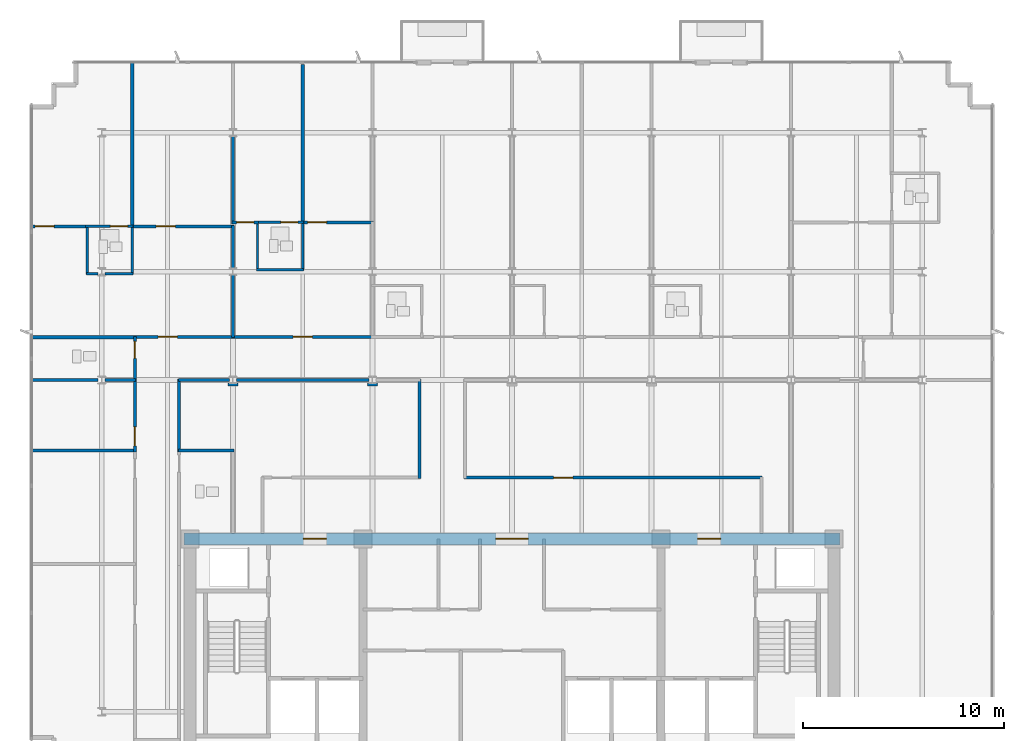
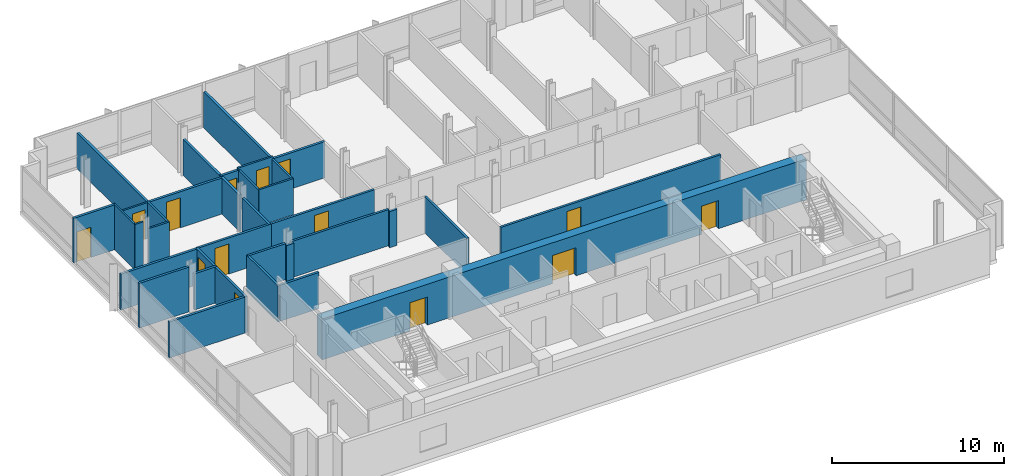
# One storey, part 9 of 14: 35 walls, 14 doors, 14 openings.
"""IFC4 building model written with IfcOpenShell, lengths in metres."""

from ifc_helpers import new_model, si_unit, direction, frame, frame_2d, origin, place, context, subcontext, project, spatial, rectangle, extrude, material, layer, layer_set, type_object, element, fill, save


model = new_model("IFC4")

# Units and contexts
model_context = context("Model", 3, precision=1e-05, world=origin(), true_north=direction((0.0, 1.0)))
body_context = subcontext(model_context, "Body", "Model", "MODEL_VIEW")
ifc_project = project(units=[si_unit("LENGTHUNIT", "METRE"), si_unit("AREAUNIT", "SQUARE_METRE"), si_unit("VOLUMEUNIT", "CUBIC_METRE"), si_unit("PLANEANGLEUNIT", "RADIAN"), si_unit("MASSUNIT", "GRAM", prefix="KILO")], contexts=[model_context])

# Site, building, storey
site_placement = place(None, origin())
site = spatial("IfcSite", under=ifc_project, at=site_placement, CompositionType="ELEMENT")
building_placement = place(site_placement, origin())
building = spatial("IfcBuilding", under=site, at=building_placement, Name="Solmavex Isthmus Hotel", CompositionType="ELEMENT")
storey_placement = place(building_placement, frame((0.0, 0.0, 252.300048828125)))
storey = spatial("IfcBuildingStorey", under=building, at=storey_placement, Name="L68", CompositionType="ELEMENT", Elevation=252.300048828125)

# Wall, opening, door
ifc_material_1 = material(Name="Gypsum plasterboard lining", Category="gypsum")
ifc_layer_1 = layer(ifc_material_1, 0.159912109375)
ifc_layer_set_1 = layer_set([ifc_layer_1], Name="Gypsum plasterboard lining")
wall_type_1 = type_object("IfcWallType", Name="IW-COMP-160", PredefinedType="PARTITIONING", material=ifc_layer_set_1)
wall_1_placement = place(storey_placement, frame((-23.919921875, 13.0380859375, 0.0), z_axis=(0.0, 0.0, 1.0), x_axis=(1.0, 0.0, 0.0)))
wall_1 = element("IfcWall", 1, at=wall_1_placement, inside=storey, type_object=wall_type_1, Name="Interior Partition Wall W-L68-P037", PredefinedType="PARTITIONING", context=body_context, shape_type="SweptSolid", body=[
    extrude(rectangle(XDim=2.833984375, YDim=0.159912109375, at=frame_2d((1.4169921875, 0.0))), origin(), (0.0, 0.0, 1.0), 3.18994140625),
])
opening_1_placement = place(wall_1_placement, frame((0.2099609375, 0.0, 0.0)))
opening_1 = element("IfcOpeningElement", 2, at=opening_1_placement, cuts=wall_1, Name="Opening ID-C095", PredefinedType="OPENING", context=body_context, shape_type="SweptSolid", body=[
    extrude(rectangle(XDim=0.949951171875, YDim=2.14990234375, at=frame_2d((0.47509765625, 1.074951171875))), frame((0.0, 0.08984375, 0.0), z_axis=(0.0, -1.0, 0.0), x_axis=(1.0, 0.0, 0.0)), (0.0, 0.0, 1.0), 0.179931640625),
])
ifc_material_2 = material(Name="Hardwood timber", Category="wood")
door_type_1 = type_object("IfcDoorType", Name="IDR-FD60-0950", OperationType="NOTDEFINED", PredefinedType="DOOR", material=ifc_material_2)
door_1_placement = place(opening_1_placement, origin())
door_1 = element("IfcDoor", 3, at=door_1_placement, inside=storey, type_object=door_type_1, Name="Ambassador Suite Master Bedroom Door L68-02", OperationType="SINGLE_SWING_RIGHT", OverallHeight=2.14990234375, OverallWidth=0.949951171875, PredefinedType="DOOR", context=body_context, shape_type="SweptSolid", body=[
    extrude(rectangle(XDim=0.949951171875, YDim=2.14990234375, at=frame_2d((0.47509765625, 1.074951171875))), frame((0.0, 0.02490234375, 0.0), z_axis=(0.0, -1.0, 0.0), x_axis=(1.0, 0.0, 0.0)), (0.0, 0.0, 1.0), 0.050048828125),
])
fill(opening_1, door_1)

wall_2_placement = place(storey_placement, frame((-18.916015625, 13.0380859375, 0.0), z_axis=(0.0, 0.0, 1.0), x_axis=(1.0, 0.0, 0.0)))
wall_2 = element("IfcWall", 4, at=wall_2_placement, inside=storey, type_object=wall_type_1, Name="Interior Partition Wall W-L68-P038", PredefinedType="PARTITIONING", context=body_context, shape_type="SweptSolid", body=[
    extrude(rectangle(XDim=5.083984375, YDim=0.159912109375, at=frame_2d((2.5419921875, 0.0))), origin(), (0.0, 0.0, 1.0), 2.572265625),
])
opening_2_placement = place(wall_2_placement, frame((1.226318359375, 0.0, 0.0)))
opening_2 = element("IfcOpeningElement", 5, at=opening_2_placement, cuts=wall_2, Name="Opening ID-C095", PredefinedType="OPENING", context=body_context, shape_type="SweptSolid", body=[
    extrude(rectangle(XDim=0.949951171875, YDim=2.14990234375, at=frame_2d((0.47509765625, 1.074951171875))), frame((0.0, 0.08984375, 0.0), z_axis=(0.0, -1.0, 0.0), x_axis=(1.0, 0.0, 0.0)), (0.0, 0.0, 1.0), 0.179931640625),
])
door_2_placement = place(opening_2_placement, origin())
door_2 = element("IfcDoor", 6, at=door_2_placement, inside=storey, type_object=door_type_1, Name="Ambassador Suite Panorama Sitting Study Door L68-03", OperationType="SINGLE_SWING_LEFT", OverallHeight=2.14990234375, OverallWidth=0.949951171875, PredefinedType="DOOR", context=body_context, shape_type="SweptSolid", body=[
    extrude(rectangle(XDim=0.949951171875, YDim=2.14990234375, at=frame_2d((0.47509765625, 1.074951171875))), frame((0.0, 0.02490234375, 0.0), z_axis=(0.0, -1.0, 0.0), x_axis=(1.0, 0.0, 0.0)), (0.0, 0.0, 1.0), 0.050048828125),
])
fill(opening_2, door_2)

# Walls
wall_3_placement = place(storey_placement, frame((-13.8720703125, 10.613037109375, 0.0), z_axis=(0.0, 0.0, 1.0), x_axis=(0.0, -1.0, 0.0)))
element("IfcWall", 7, at=wall_3_placement, inside=storey, type_object=wall_type_1, Name="Interior Partition Wall W-L68-P043", PredefinedType="PARTITIONING", context=body_context, shape_type="SweptSolid", body=[
    extrude(rectangle(XDim=3.10302734375, YDim=0.159912109375, at=frame_2d((1.551513671875, 0.0))), origin(), (0.0, 0.0, 1.0), 2.572265625),
])
wall_4_placement = place(storey_placement, frame((-13.8720703125, 13.077880859375, 0.0), z_axis=(0.0, 0.0, 1.0), x_axis=(0.0, -1.0, 0.0)))
element("IfcWall", 8, at=wall_4_placement, inside=storey, type_object=wall_type_1, Name="Interior Partition Wall W-L68-P044", PredefinedType="PARTITIONING", context=body_context, shape_type="SweptSolid", body=[
    extrude(rectangle(XDim=2.114990234375, YDim=0.159912109375, at=frame_2d((1.0576171875, 0.0))), origin(), (0.0, 0.0, 1.0), 2.572265625),
])
wall_5_placement = place(storey_placement, frame((-18.7099609375, 7.530029296875, 0.0), z_axis=(0.0, 0.0, 1.0), x_axis=(-1.0, 0.0, 0.0)))
element("IfcWall", 9, at=wall_5_placement, inside=storey, type_object=wall_type_1, Name="Interior Partition Wall W-L68-P045", PredefinedType="PARTITIONING", context=body_context, shape_type="SweptSolid", body=[
    extrude(rectangle(XDim=5.2099609375, YDim=0.159912109375, at=frame_2d((2.60498046875, 0.0))), origin(), (0.0, 0.0, 1.0), 2.557373046875),
])
wall_6_placement = place(storey_placement, frame((-18.8759765625, 21.219970703125, 0.0), z_axis=(0.0, 0.0, 1.0), x_axis=(0.0, -1.0, 0.0)))
element("IfcWall", 10, at=wall_6_placement, inside=storey, type_object=wall_type_1, Name="Interior Partition Wall W-L68-P046", PredefinedType="PARTITIONING", context=body_context, shape_type="SweptSolid", body=[
    extrude(rectangle(XDim=8.221923828125, YDim=0.159912109375, at=frame_2d((4.11083984375, 0.0))), origin(), (0.0, 0.0, 1.0), 2.557373046875),
])
wall_7_placement = place(storey_placement, frame((-13.8720703125, 17.52490234375, 0.0), z_axis=(0.0, 0.0, 1.0), x_axis=(0.0, -1.0, 0.0)))
element("IfcWall", 11, at=wall_7_placement, inside=storey, type_object=wall_type_1, Name="Interior Partition Wall W-L68-P048", PredefinedType="PARTITIONING", context=body_context, shape_type="SweptSolid", body=[
    extrude(rectangle(XDim=4.368896484375, YDim=0.159912109375, at=frame_2d((2.1845703125, 0.0))), origin(), (0.0, 0.0, 1.0), 2.572265625),
])

# Wall, opening, door
wall_8_placement = place(storey_placement, frame((-13.912109375, 13.238037109375, 0.0), z_axis=(0.0, 0.0, 1.0), x_axis=(1.0, 0.0, 0.0)))
wall_8 = element("IfcWall", 12, at=wall_8_placement, inside=storey, type_object=wall_type_1, Name="Interior Partition Wall W-L68-P050", PredefinedType="PARTITIONING", context=body_context, shape_type="SweptSolid", body=[
    extrude(rectangle(XDim=1.298095703125, YDim=0.159912109375, at=frame_2d((0.64892578125, 0.0))), origin(), (0.0, 0.0, 1.0), 2.572265625),
])
opening_3_placement = place(wall_8_placement, frame((0.22412109375, 0.0, 0.0)))
opening_3 = element("IfcOpeningElement", 13, at=opening_3_placement, cuts=wall_8, Name="Opening ID-R085", PredefinedType="OPENING", context=body_context, shape_type="SweptSolid", body=[
    extrude(rectangle(XDim=0.85009765625, YDim=2.050048828125, at=frame_2d((0.425048828125, 1.02490234375))), frame((0.0, 0.08984375, 0.0), z_axis=(0.0, -1.0, 0.0), x_axis=(1.0, 0.0, 0.0)), (0.0, 0.0, 1.0), 0.179931640625),
])
ifc_material_3 = material(Name="Steel ASTM A500 Grade C", Category="steel")
door_type_2 = type_object("IfcDoorType", Name="IDR-FD60-0850", OperationType="NOTDEFINED", PredefinedType="DOOR", material=ifc_material_3)
door_3_placement = place(opening_3_placement, origin())
door_3 = element("IfcDoor", 14, at=door_3_placement, inside=storey, type_object=door_type_2, Name="Diplomatic Hospitality Suite Bedroom Door L68-06", OperationType="SINGLE_SWING_RIGHT", OverallHeight=2.050048828125, OverallWidth=0.85009765625, PredefinedType="DOOR", context=body_context, shape_type="SweptSolid", body=[
    extrude(rectangle(XDim=0.85009765625, YDim=2.050048828125, at=frame_2d((0.425048828125, 1.02490234375))), frame((0.0, 0.02490234375, 0.0), z_axis=(0.0, -1.0, 0.0), x_axis=(1.0, 0.0, 0.0)), (0.0, 0.0, 1.0), 0.050048828125),
])
fill(opening_3, door_3)

wall_9_placement = place(storey_placement, frame((-10.444091796875, 13.238037109375, 0.0), z_axis=(0.0, 0.0, 1.0), x_axis=(1.0, 0.0, 0.0)))
wall_9 = element("IfcWall", 15, at=wall_9_placement, inside=storey, type_object=wall_type_1, Name="Interior Partition Wall W-L68-P051", PredefinedType="PARTITIONING", context=body_context, shape_type="SweptSolid", body=[
    extrude(rectangle(XDim=3.548095703125, YDim=0.159912109375, at=frame_2d((1.77392578125, 0.0))), origin(), (0.0, 0.0, 1.0), 2.572265625),
])
opening_4_placement = place(wall_9_placement, frame((0.279296875, 0.0, 0.0)))
opening_4 = element("IfcOpeningElement", 16, at=opening_4_placement, cuts=wall_9, Name="Opening ID-C095", PredefinedType="OPENING", context=body_context, shape_type="SweptSolid", body=[
    extrude(rectangle(XDim=0.949951171875, YDim=2.14990234375, at=frame_2d((0.47509765625, 1.074951171875))), frame((0.0, 0.08984375, 0.0), z_axis=(0.0, -1.0, 0.0), x_axis=(1.0, 0.0, 0.0)), (0.0, 0.0, 1.0), 0.179931640625),
])
door_4_placement = place(opening_4_placement, origin())
door_4 = element("IfcDoor", 17, at=door_4_placement, inside=storey, type_object=door_type_1, Name="Diplomatic Hospitality Suite Sitting Lounge Door L68-07", OperationType="SINGLE_SWING_LEFT", OverallHeight=2.14990234375, OverallWidth=0.949951171875, PredefinedType="DOOR", context=body_context, shape_type="SweptSolid", body=[
    extrude(rectangle(XDim=0.949951171875, YDim=2.14990234375, at=frame_2d((0.47509765625, 1.074951171875))), frame((0.0, 0.02490234375, 0.0), z_axis=(0.0, -1.0, 0.0), x_axis=(1.0, 0.0, 0.0)), (0.0, 0.0, 1.0), 0.050048828125),
])
fill(opening_4, door_4)

# Walls
wall_10_placement = place(storey_placement, frame((-10.404052734375, 21.10009765625, 0.0), z_axis=(0.0, 0.0, 1.0), x_axis=(0.0, -1.0, 0.0)))
element("IfcWall", 18, at=wall_10_placement, inside=storey, type_object=wall_type_1, Name="Interior Partition Wall W-L68-P057", PredefinedType="PARTITIONING", context=body_context, shape_type="SweptSolid", body=[
    extrude(rectangle(XDim=7.902099609375, YDim=0.159912109375, at=frame_2d((3.951171875, 0.0))), origin(), (0.0, 0.0, 1.0), 2.557373046875),
])
wall_11_placement = place(storey_placement, frame((-20.574951171875, 5.39990234375, 0.0), z_axis=(0.0, 0.0, 1.0), x_axis=(-1.0, 0.0, 0.0)))
element("IfcWall", 19, at=wall_11_placement, inside=storey, type_object=wall_type_1, Name="Interior Partition Wall W-L68-P087", PredefinedType="PARTITIONING", context=body_context, shape_type="SweptSolid", body=[
    extrude(rectangle(XDim=3.344970703125, YDim=0.159912109375, at=frame_2d((1.67236328125, 0.0))), origin(), (0.0, 0.0, 1.0), 3.18994140625),
])
wall_12_placement = place(storey_placement, frame((-18.7099609375, 5.39990234375, 0.0), z_axis=(0.0, 0.0, 1.0), x_axis=(-1.0, 0.0, 0.0)))
element("IfcWall", 20, at=wall_12_placement, inside=storey, type_object=wall_type_1, Name="Interior Partition Wall W-L68-P088", PredefinedType="PARTITIONING", context=body_context, shape_type="SweptSolid", body=[
    extrude(rectangle(XDim=1.51513671875, YDim=0.159912109375, at=frame_2d((0.757568359375, 0.0))), origin(), (0.0, 0.0, 1.0), 2.572265625),
])
wall_13_placement = place(storey_placement, frame((-16.590087890625, 1.89990234375, 0.0), z_axis=(0.0, 0.0, 1.0), x_axis=(1.0, 0.0, 0.0)))
element("IfcWall", 21, at=wall_13_placement, inside=storey, type_object=wall_type_1, Name="Interior Partition Wall W-L68-P089", PredefinedType="PARTITIONING", context=body_context, shape_type="SweptSolid", body=[
    extrude(rectangle(XDim=2.758056640625, YDim=0.159912109375, at=frame_2d((1.37890625, 0.0))), origin(), (0.0, 0.0, 1.0), 2.572265625),
])
wall_14_placement = place(storey_placement, frame((-18.7099609375, 1.89990234375, 0.0), z_axis=(0.0, 0.0, 1.0), x_axis=(-1.0, 0.0, 0.0)))
element("IfcWall", 22, at=wall_14_placement, inside=storey, type_object=wall_type_1, Name="Interior Partition Wall W-L68-P093", PredefinedType="PARTITIONING", context=body_context, shape_type="SweptSolid", body=[
    extrude(rectangle(XDim=5.2099609375, YDim=0.159912109375, at=frame_2d((2.60498046875, 0.0))), origin(), (0.0, 0.0, 1.0), 2.557373046875),
])

# Wall, opening, door
ifc_layer_2 = layer(ifc_material_1, 0.14990234375)
ifc_layer_set_2 = layer_set([ifc_layer_2], Name="Gypsum plasterboard lining")
wall_type_2 = type_object("IfcWallType", Name="IW-CORR-150", PredefinedType="PARTITIONING", material=ifc_layer_set_2)
wall_15_placement = place(storey_placement, frame((-18.7900390625, 7.550048828125, 0.0), z_axis=(0.0, 0.0, 1.0), x_axis=(1.0, 0.0, 0.0)))
wall_15 = element("IfcWall", 23, at=wall_15_placement, inside=storey, type_object=wall_type_2, Name="Interior Partition Wall W-L68-P001", PredefinedType="PARTITIONING", context=body_context, shape_type="SweptSolid", body=[
    extrude(rectangle(XDim=5.0, YDim=0.14990234375, at=frame_2d((2.5, 0.0))), origin(), (0.0, 0.0, 1.0), 2.572265625),
])
opening_5_placement = place(wall_15_placement, frame((1.198486328125, 0.0, 0.0)))
opening_5 = element("IfcOpeningElement", 24, at=opening_5_placement, cuts=wall_15, Name="Opening ID-C095", PredefinedType="OPENING", context=body_context, shape_type="SweptSolid", body=[
    extrude(rectangle(XDim=0.949951171875, YDim=2.14990234375, at=frame_2d((0.47509765625, 1.074951171875))), frame((0.0, 0.0849609375, 0.0), z_axis=(0.0, -1.0, 0.0), x_axis=(1.0, 0.0, 0.0)), (0.0, 0.0, 1.0), 0.169921875),
])
door_5_placement = place(opening_5_placement, origin())
door_5 = element("IfcDoor", 25, at=door_5_placement, inside=storey, type_object=door_type_1, Name="Ambassador Suite Living Salon Door L68-01", OperationType="SINGLE_SWING_LEFT", OverallHeight=2.14990234375, OverallWidth=0.949951171875, PredefinedType="DOOR", context=body_context, shape_type="SweptSolid", body=[
    extrude(rectangle(XDim=0.949951171875, YDim=2.14990234375, at=frame_2d((0.47509765625, 1.074951171875))), frame((0.0, 0.02490234375, 0.0), z_axis=(0.0, -1.0, 0.0), x_axis=(1.0, 0.0, 0.0)), (0.0, 0.0, 1.0), 0.050048828125),
])
fill(opening_5, door_5)

wall_16_placement = place(storey_placement, frame((-13.9541015625, 7.550048828125, 0.0), z_axis=(0.0, 0.0, 1.0), x_axis=(1.0, 0.0, 0.0)))
wall_16 = element("IfcWall", 26, at=wall_16_placement, inside=storey, type_object=wall_type_2, Name="Interior Partition Wall W-L68-P002", PredefinedType="PARTITIONING", context=body_context, shape_type="SweptSolid", body=[
    extrude(rectangle(XDim=7.10009765625, YDim=0.14990234375, at=frame_2d((3.550048828125, 0.0))), origin(), (0.0, 0.0, 1.0), 2.572265625),
])
opening_6_placement = place(wall_16_placement, frame((3.074951171875, 0.0, 0.0)))
opening_6 = element("IfcOpeningElement", 27, at=opening_6_placement, cuts=wall_16, Name="Opening ID-C095", PredefinedType="OPENING", context=body_context, shape_type="SweptSolid", body=[
    extrude(rectangle(XDim=0.949951171875, YDim=2.14990234375, at=frame_2d((0.47509765625, 1.074951171875))), frame((0.0, 0.0849609375, 0.0), z_axis=(0.0, -1.0, 0.0), x_axis=(1.0, 0.0, 0.0)), (0.0, 0.0, 1.0), 0.169921875),
])
door_6_placement = place(opening_6_placement, origin())
door_6 = element("IfcDoor", 28, at=door_6_placement, inside=storey, type_object=door_type_1, Name="Diplomatic Hospitality Suite Reception Foyer Door L68-05", OperationType="SINGLE_SWING_LEFT", OverallHeight=2.14990234375, OverallWidth=0.949951171875, PredefinedType="DOOR", context=body_context, shape_type="SweptSolid", body=[
    extrude(rectangle(XDim=0.949951171875, YDim=2.14990234375, at=frame_2d((0.47509765625, 1.074951171875))), frame((0.0, 0.02490234375, 0.0), z_axis=(0.0, -1.0, 0.0), x_axis=(1.0, 0.0, 0.0)), (0.0, 0.0, 1.0), 0.050048828125),
])
fill(opening_6, door_6)

wall_17_placement = place(storey_placement, frame((-18.75, 5.318115234375, 0.0), z_axis=(0.0, 0.0, 1.0), x_axis=(0.0, 1.0, 0.0)))
wall_17 = element("IfcWall", 29, at=wall_17_placement, inside=storey, type_object=wall_type_2, Name="Interior Partition Wall W-L68-P011", PredefinedType="PARTITIONING", context=body_context, shape_type="SweptSolid", body=[
    extrude(rectangle(XDim=2.251953125, YDim=0.14990234375, at=frame_2d((1.1259765625, 0.0))), origin(), (0.0, 0.0, 1.0), 2.572265625),
])
opening_7_placement = place(wall_17_placement, frame((1.156982421875, 0.0, 0.0)))
opening_7 = element("IfcOpeningElement", 30, at=opening_7_placement, cuts=wall_17, Name="Opening ID-R085", PredefinedType="OPENING", context=body_context, shape_type="SweptSolid", body=[
    extrude(rectangle(XDim=0.85009765625, YDim=2.050048828125, at=frame_2d((0.425048828125, 1.02490234375))), frame((0.0, 0.0849609375, 0.0), z_axis=(0.0, -1.0, 0.0), x_axis=(1.0, 0.0, 0.0)), (0.0, 0.0, 1.0), 0.169921875),
])
door_7_placement = place(opening_7_placement, frame((0.85009765625, 0.0, 0.0), z_axis=(0.0, 0.0, 1.0), x_axis=(-1.0, 0.0, 0.0)))
door_7 = element("IfcDoor", 31, at=door_7_placement, inside=storey, type_object=door_type_2, Name="Accessible Public Restroom WC Door L68-20", OperationType="SINGLE_SWING_RIGHT", OverallHeight=2.050048828125, OverallWidth=0.85009765625, PredefinedType="DOOR", context=body_context, shape_type="SweptSolid", body=[
    extrude(rectangle(XDim=0.85009765625, YDim=2.050048828125, at=frame_2d((0.425048828125, 1.02490234375))), frame((0.0, 0.02490234375, 0.0), z_axis=(0.0, -1.0, 0.0), x_axis=(1.0, 0.0, 0.0)), (0.0, 0.0, 1.0), 0.050048828125),
])
fill(opening_7, door_7)

wall_18_placement = place(storey_placement, frame((-18.75, 1.818115234375, 0.0), z_axis=(0.0, 0.0, 1.0), x_axis=(0.0, 1.0, 0.0)))
wall_18 = element("IfcWall", 32, at=wall_18_placement, inside=storey, type_object=wall_type_2, Name="Interior Partition Wall W-L68-P014", PredefinedType="PARTITIONING", context=body_context, shape_type="SweptSolid", body=[
    extrude(rectangle(XDim=3.663818359375, YDim=0.14990234375, at=frame_2d((1.83203125, 0.0))), origin(), (0.0, 0.0, 1.0), 2.572265625),
])
opening_8_placement = place(wall_18_placement, frame((0.30322265625, 0.0, 0.0)))
opening_8 = element("IfcOpeningElement", 33, at=opening_8_placement, cuts=wall_18, Name="Opening ID-C095", PredefinedType="OPENING", context=body_context, shape_type="SweptSolid", body=[
    extrude(rectangle(XDim=0.949951171875, YDim=2.14990234375, at=frame_2d((0.47509765625, 1.074951171875))), frame((0.0, 0.0849609375, 0.0), z_axis=(0.0, -1.0, 0.0), x_axis=(1.0, 0.0, 0.0)), (0.0, 0.0, 1.0), 0.169921875),
])
door_8_placement = place(opening_8_placement, frame((0.949951171875, 0.0, 0.0), z_axis=(0.0, 0.0, 1.0), x_axis=(-1.0, 0.0, 0.0)))
door_8 = element("IfcDoor", 34, at=door_8_placement, inside=storey, type_object=door_type_1, Name="Reading Library Door L68-23", OperationType="SINGLE_SWING_LEFT", OverallHeight=2.14990234375, OverallWidth=0.949951171875, PredefinedType="DOOR", context=body_context, shape_type="SweptSolid", body=[
    extrude(rectangle(XDim=0.949951171875, YDim=2.14990234375, at=frame_2d((0.47509765625, 1.074951171875))), frame((0.0, 0.02490234375, 0.0), z_axis=(0.0, -1.0, 0.0), x_axis=(1.0, 0.0, 0.0)), (0.0, 0.0, 1.0), 0.050048828125),
])
fill(opening_8, door_8)

# Walls
wall_19_placement = place(storey_placement, frame((-4.587890625, 0.510009765625, 0.0), z_axis=(0.0, 0.0, 1.0), x_axis=(0.0, 1.0, 0.0)))
element("IfcWall", 35, at=wall_19_placement, inside=storey, type_object=wall_type_2, Name="Interior Partition Wall W-L68-P018", PredefinedType="PARTITIONING", context=body_context, shape_type="SweptSolid", body=[
    extrude(rectangle(XDim=4.929931640625, YDim=0.14990234375, at=frame_2d((2.46484375, 0.0))), origin(), (0.0, 0.0, 1.0), 2.572265625),
])
wall_20_placement = place(storey_placement, frame((-6.680908203125, 5.18505859375, 0.0), z_axis=(0.0, 0.0, 1.0), x_axis=(-1.0, 0.0, 0.0)))
element("IfcWall", 36, at=wall_20_placement, inside=storey, type_object=wall_type_2, Name="Interior Partition Wall W-L68-P020", PredefinedType="PARTITIONING", context=body_context, shape_type="SweptSolid", body=[
    extrude(rectangle(XDim=0.510009765625, YDim=0.14990234375, at=frame_2d((0.2548828125, 0.0))), origin(), (0.0, 0.0, 1.0), 2.572265625),
])
wall_21_placement = place(storey_placement, frame((-7.111083984375, 5.39990234375, 0.0), z_axis=(0.0, 0.0, 1.0), x_axis=(-1.0, 0.0, 0.0)))
element("IfcWall", 37, at=wall_21_placement, inside=storey, type_object=wall_type_2, Name="Interior Partition Wall W-L68-P021", PredefinedType="PARTITIONING", context=body_context, shape_type="SweptSolid", body=[
    extrude(rectangle(XDim=6.5859375, YDim=0.14990234375, at=frame_2d((3.29296875, 0.0))), origin(), (0.0, 0.0, 1.0), 2.572265625),
])
wall_22_placement = place(storey_placement, frame((-13.616943359375, 5.18505859375, 0.0), z_axis=(0.0, 0.0, 1.0), x_axis=(-1.0, 0.0, 0.0)))
element("IfcWall", 38, at=wall_22_placement, inside=storey, type_object=wall_type_2, Name="Interior Partition Wall W-L68-P022", PredefinedType="PARTITIONING", context=body_context, shape_type="SweptSolid", body=[
    extrude(rectangle(XDim=0.510009765625, YDim=0.14990234375, at=frame_2d((0.2548828125, 0.0))), origin(), (0.0, 0.0, 1.0), 2.572265625),
])
wall_23_placement = place(storey_placement, frame((-14.047119140625, 5.39990234375, 0.0), z_axis=(0.0, 0.0, 1.0), x_axis=(-1.0, 0.0, 0.0)))
element("IfcWall", 39, at=wall_23_placement, inside=storey, type_object=wall_type_2, Name="Interior Partition Wall W-L68-P023", PredefinedType="PARTITIONING", context=body_context, shape_type="SweptSolid", body=[
    extrude(rectangle(XDim=2.54296875, YDim=0.14990234375, at=frame_2d((1.271484375, 0.0))), origin(), (0.0, 0.0, 1.0), 2.572265625),
])
wall_24_placement = place(storey_placement, frame((-16.550048828125, 5.43994140625, 0.0), z_axis=(0.0, 0.0, 1.0), x_axis=(0.0, -1.0, 0.0)))
element("IfcWall", 40, at=wall_24_placement, inside=storey, type_object=wall_type_2, Name="Interior Partition Wall W-L68-P024", PredefinedType="PARTITIONING", context=body_context, shape_type="SweptSolid", body=[
    extrude(rectangle(XDim=3.621826171875, YDim=0.14990234375, at=frame_2d((1.81103515625, 0.0))), origin(), (0.0, 0.0, 1.0), 2.572265625),
])

# Wall, opening, door
wall_25_placement = place(storey_placement, frame((-2.387939453125, 0.550048828125, 0.0), z_axis=(0.0, 0.0, 1.0), x_axis=(1.0, 0.0, 0.0)))
wall_25 = element("IfcWall", 41, at=wall_25_placement, inside=storey, type_object=wall_type_2, Name="Interior Partition Wall W-L68-P031", PredefinedType="PARTITIONING", context=body_context, shape_type="SweptSolid", body=[
    extrude(rectangle(XDim=14.827880859375, YDim=0.14990234375, at=frame_2d((7.4140625, 0.0))), origin(), (0.0, 0.0, 1.0), 2.572265625),
])
opening_9_placement = place(wall_25_placement, frame((4.461181640625, 0.0, 0.0)))
opening_9 = element("IfcOpeningElement", 42, at=opening_9_placement, cuts=wall_25, Name="Opening ID-C095", PredefinedType="OPENING", context=body_context, shape_type="SweptSolid", body=[
    extrude(rectangle(XDim=0.949951171875, YDim=2.14990234375, at=frame_2d((0.47509765625, 1.074951171875))), frame((0.0, 0.0849609375, 0.0), z_axis=(0.0, -1.0, 0.0), x_axis=(1.0, 0.0, 0.0)), (0.0, 0.0, 1.0), 0.169921875),
])
door_9_placement = place(opening_9_placement, frame((0.949951171875, 0.0, 0.0), z_axis=(0.0, 0.0, 1.0), x_axis=(-1.0, 0.0, 0.0)))
door_9 = element("IfcDoor", 43, at=door_9_placement, inside=storey, type_object=door_type_1, Name="Catering Servery Kitchen Door L68-26", OperationType="SINGLE_SWING_RIGHT", OverallHeight=2.14990234375, OverallWidth=0.949951171875, PredefinedType="DOOR", context=body_context, shape_type="SweptSolid", body=[
    extrude(rectangle(XDim=0.949951171875, YDim=2.14990234375, at=frame_2d((0.47509765625, 1.074951171875))), frame((0.0, 0.02490234375, 0.0), z_axis=(0.0, -1.0, 0.0), x_axis=(1.0, 0.0, 0.0)), (0.0, 0.0, 1.0), 0.050048828125),
])
fill(opening_9, door_9)

# Walls
ifc_layer_3 = layer(ifc_material_1, 0.1201171875)
ifc_layer_set_3 = layer_set([ifc_layer_3], Name="Gypsum plasterboard lining")
wall_type_3 = type_object("IfcWallType", Name="IW-PART-120", PredefinedType="PARTITIONING", material=ifc_layer_set_3)
wall_26_placement = place(storey_placement, frame((-21.1259765625, 13.077880859375, 0.0), z_axis=(0.0, 0.0, 1.0), x_axis=(0.0, -1.0, 0.0)))
element("IfcWall", 44, at=wall_26_placement, inside=storey, type_object=wall_type_3, Name="Interior Partition Wall W-L68-P039", PredefinedType="PARTITIONING", context=body_context, shape_type="SweptSolid", body=[
    extrude(rectangle(XDim=2.429931640625, YDim=0.1201171875, at=frame_2d((1.21484375, 0.0))), origin(), (0.0, 0.0, 1.0), 3.18994140625),
])
wall_27_placement = place(storey_placement, frame((-21.166015625, 10.68798828125, 0.0), z_axis=(0.0, 0.0, 1.0), x_axis=(1.0, 0.0, 0.0)))
element("IfcWall", 45, at=wall_27_placement, inside=storey, type_object=wall_type_3, Name="Interior Partition Wall W-L68-P040", PredefinedType="PARTITIONING", context=body_context, shape_type="SweptSolid", body=[
    extrude(rectangle(XDim=0.591064453125, YDim=0.1201171875, at=frame_2d((0.29541015625, 0.0))), origin(), (0.0, 0.0, 1.0), 3.18994140625),
])
wall_28_placement = place(storey_placement, frame((-20.22509765625, 10.68798828125, 0.0), z_axis=(0.0, 0.0, 1.0), x_axis=(1.0, 0.0, 0.0)))
element("IfcWall", 46, at=wall_28_placement, inside=storey, type_object=wall_type_3, Name="Interior Partition Wall W-L68-P041", PredefinedType="PARTITIONING", context=body_context, shape_type="SweptSolid", body=[
    extrude(rectangle(XDim=1.38916015625, YDim=0.1201171875, at=frame_2d((0.694580078125, 0.0))), origin(), (0.0, 0.0, 1.0), 2.572265625),
])
wall_29_placement = place(storey_placement, frame((-18.8759765625, 10.64794921875, 0.0), z_axis=(0.0, 0.0, 1.0), x_axis=(0.0, 1.0, 0.0)))
element("IfcWall", 47, at=wall_29_placement, inside=storey, type_object=wall_type_3, Name="Interior Partition Wall W-L68-P042", PredefinedType="PARTITIONING", context=body_context, shape_type="SweptSolid", body=[
    extrude(rectangle(XDim=2.429931640625, YDim=0.1201171875, at=frame_2d((1.21484375, 0.0))), origin(), (0.0, 0.0, 1.0), 2.572265625),
])

# Wall, opening, door
wall_30_placement = place(storey_placement, frame((-18.8359375, 13.0380859375, 0.0), z_axis=(0.0, 0.0, 1.0), x_axis=(-1.0, 0.0, 0.0)))
wall_30 = element("IfcWall", 48, at=wall_30_placement, inside=storey, type_object=wall_type_3, Name="Interior Partition Wall W-L68-P047", PredefinedType="PARTITIONING", context=body_context, shape_type="SweptSolid", body=[
    extrude(rectangle(XDim=2.3720703125, YDim=0.1201171875, at=frame_2d((1.18603515625, 0.0))), origin(), (0.0, 0.0, 1.0), 2.557373046875),
])
opening_10_placement = place(wall_30_placement, frame((0.27978515625, 0.0, 0.0)))
opening_10 = element("IfcOpeningElement", 49, at=opening_10_placement, cuts=wall_30, Name="Opening ID-U085", PredefinedType="OPENING", context=body_context, shape_type="SweptSolid", body=[
    extrude(rectangle(XDim=0.85009765625, YDim=2.10009765625, at=frame_2d((0.425048828125, 1.050048828125))), frame((0.0, 0.070068359375, 0.0), z_axis=(0.0, -1.0, 0.0), x_axis=(1.0, 0.0, 0.0)), (0.0, 0.0, 1.0), 0.14013671875),
])
door_type_3 = type_object("IfcDoorType", Name="IDR-UNR-0850", OperationType="NOTDEFINED", PredefinedType="DOOR", material=ifc_material_2)
door_10_placement = place(opening_10_placement, frame((0.85009765625, 0.0, 0.0), z_axis=(0.0, 0.0, 1.0), x_axis=(-1.0, 0.0, 0.0)))
door_10 = element("IfcDoor", 50, at=door_10_placement, inside=storey, type_object=door_type_3, Name="En-suite Bathroom Door L68-04", OperationType="SINGLE_SWING_RIGHT", OverallHeight=2.10009765625, OverallWidth=0.85009765625, PredefinedType="DOOR", context=body_context, shape_type="SweptSolid", body=[
    extrude(rectangle(XDim=0.85009765625, YDim=2.10009765625, at=frame_2d((0.425048828125, 1.050048828125))), frame((0.0, 0.02490234375, 0.0), z_axis=(0.0, -1.0, 0.0), x_axis=(1.0, 0.0, 0.0)), (0.0, 0.0, 1.0), 0.050048828125),
])
fill(opening_10, door_10)

# Walls
wall_31_placement = place(storey_placement, frame((-12.654052734375, 13.278076171875, 0.0), z_axis=(0.0, 0.0, 1.0), x_axis=(0.0, -1.0, 0.0)))
element("IfcWall", 51, at=wall_31_placement, inside=storey, type_object=wall_type_3, Name="Interior Partition Wall W-L68-P052", PredefinedType="PARTITIONING", context=body_context, shape_type="SweptSolid", body=[
    extrude(rectangle(XDim=2.43017578125, YDim=0.1201171875, at=frame_2d((1.215087890625, 0.0))), origin(), (0.0, 0.0, 1.0), 2.572265625),
])
wall_32_placement = place(storey_placement, frame((-12.694091796875, 10.887939453125, 0.0), z_axis=(0.0, 0.0, 1.0), x_axis=(1.0, 0.0, 0.0)))
element("IfcWall", 52, at=wall_32_placement, inside=storey, type_object=wall_type_3, Name="Interior Partition Wall W-L68-P053", PredefinedType="PARTITIONING", context=body_context, shape_type="SweptSolid", body=[
    extrude(rectangle(XDim=2.330078125, YDim=0.1201171875, at=frame_2d((1.1650390625, 0.0))), origin(), (0.0, 0.0, 1.0), 2.572265625),
])
wall_33_placement = place(storey_placement, frame((-10.404052734375, 10.847900390625, 0.0), z_axis=(0.0, 0.0, 1.0), x_axis=(0.0, 1.0, 0.0)))
element("IfcWall", 53, at=wall_33_placement, inside=storey, type_object=wall_type_3, Name="Interior Partition Wall W-L68-P054", PredefinedType="PARTITIONING", context=body_context, shape_type="SweptSolid", body=[
    extrude(rectangle(XDim=2.43017578125, YDim=0.1201171875, at=frame_2d((1.215087890625, 0.0))), origin(), (0.0, 0.0, 1.0), 2.572265625),
])

# Wall, opening, door
wall_34_placement = place(storey_placement, frame((-10.364013671875, 13.238037109375, 0.0), z_axis=(0.0, 0.0, 1.0), x_axis=(-1.0, 0.0, 0.0)))
wall_34 = element("IfcWall", 54, at=wall_34_placement, inside=storey, type_object=wall_type_3, Name="Interior Partition Wall W-L68-P058", PredefinedType="PARTITIONING", context=body_context, shape_type="SweptSolid", body=[
    extrude(rectangle(XDim=2.3720703125, YDim=0.1201171875, at=frame_2d((1.18603515625, 0.0))), origin(), (0.0, 0.0, 1.0), 2.718017578125),
])
opening_11_placement = place(wall_34_placement, frame((0.27978515625, 0.0, 0.0)))
opening_11 = element("IfcOpeningElement", 55, at=opening_11_placement, cuts=wall_34, Name="Opening ID-U085", PredefinedType="OPENING", context=body_context, shape_type="SweptSolid", body=[
    extrude(rectangle(XDim=0.85009765625, YDim=2.10009765625, at=frame_2d((0.425048828125, 1.050048828125))), frame((0.0, 0.070068359375, 0.0), z_axis=(0.0, -1.0, 0.0), x_axis=(1.0, 0.0, 0.0)), (0.0, 0.0, 1.0), 0.14013671875),
])
door_11_placement = place(opening_11_placement, frame((0.85009765625, 0.0, 0.0), z_axis=(0.0, 0.0, 1.0), x_axis=(-1.0, 0.0, 0.0)))
door_11 = element("IfcDoor", 56, at=door_11_placement, inside=storey, type_object=door_type_3, Name="En-suite Bathroom Door L68-08", OperationType="SINGLE_SWING_RIGHT", OverallHeight=2.10009765625, OverallWidth=0.85009765625, PredefinedType="DOOR", context=body_context, shape_type="SweptSolid", body=[
    extrude(rectangle(XDim=0.85009765625, YDim=2.10009765625, at=frame_2d((0.425048828125, 1.050048828125))), frame((0.0, 0.02490234375, 0.0), z_axis=(0.0, -1.0, 0.0), x_axis=(1.0, 0.0, 0.0)), (0.0, 0.0, 1.0), 0.050048828125),
])
fill(opening_11, door_11)

# Wall, openings, doors
ifc_material_4 = material(Name="Concrete C50/60", Category="concrete")
ifc_layer_4 = layer(ifc_material_4, 0.60009765625)
ifc_layer_set_4 = layer_set([ifc_layer_4], Name="Concrete C50/60")
wall_type_4 = type_object("IfcWallType", Name="WALL-CW-600", PredefinedType="SHEAR", material=ifc_layer_set_4)
wall_35_placement = place(storey_placement, frame((-16.300048828125, -2.5, 0.0), z_axis=(0.0, 0.0, 1.0), x_axis=(1.0, 0.0, 0.0)))
wall_35 = element("IfcWall", 57, at=wall_35_placement, inside=storey, type_object=wall_type_4, Name="Core Shear Wall North L68", PredefinedType="SHEAR", context=body_context, shape_type="SweptSolid", body=[
    extrude(rectangle(XDim=32.60009765625, YDim=0.60009765625, at=frame_2d((16.300048828125, 0.0))), origin(), (0.0, 0.0, 1.0), 2.909912109375),
])
opening_12_placement = place(wall_35_placement, frame((5.925048828125, 0.0, 0.0)))
opening_12 = element("IfcOpeningElement", 58, at=opening_12_placement, cuts=wall_35, Name="Opening ID-F915", PredefinedType="OPENING", context=body_context, shape_type="SweptSolid", body=[
    extrude(rectangle(XDim=1.14990234375, YDim=2.0, at=frame_2d((0.574951171875, 1.0))), frame((0.0, 0.31005859375, 0.0), z_axis=(0.0, -1.0, 0.0), x_axis=(1.0, 0.0, 0.0)), (0.0, 0.0, 1.0), 0.6201171875),
])
opening_13_placement = place(wall_35_placement, frame((15.5, 0.0, 0.0)))
opening_13 = element("IfcOpeningElement", 59, at=opening_13_placement, cuts=wall_35, Name="Opening ID-F960", PredefinedType="OPENING", context=body_context, shape_type="SweptSolid", body=[
    extrude(rectangle(XDim=1.60009765625, YDim=2.0, at=frame_2d((0.800048828125, 1.0))), frame((0.0, 0.31005859375, 0.0), z_axis=(0.0, -1.0, 0.0), x_axis=(1.0, 0.0, 0.0)), (0.0, 0.0, 1.0), 0.6201171875),
])
opening_14_placement = place(wall_35_placement, frame((25.52490234375, 0.0, 0.0)))
opening_14 = element("IfcOpeningElement", 60, at=opening_14_placement, cuts=wall_35, Name="Opening ID-F915", PredefinedType="OPENING", context=body_context, shape_type="SweptSolid", body=[
    extrude(rectangle(XDim=1.14990234375, YDim=2.0, at=frame_2d((0.574951171875, 1.0))), frame((0.0, 0.31005859375, 0.0), z_axis=(0.0, -1.0, 0.0), x_axis=(1.0, 0.0, 0.0)), (0.0, 0.0, 1.0), 0.6201171875),
])
door_type_4 = type_object("IfcDoorType", Name="IDR-FD90-1150C", OperationType="NOTDEFINED", PredefinedType="DOOR", material=ifc_material_3)
door_12_placement = place(opening_12_placement, origin())
door_12 = element("IfcDoor", 61, at=door_12_placement, inside=storey, type_object=door_type_4, Name="Firefighting Lobby West Exit Door L68", OperationType="SINGLE_SWING_LEFT", OverallHeight=2.0, OverallWidth=1.14990234375, PredefinedType="DOOR", context=body_context, shape_type="SweptSolid", body=[
    extrude(rectangle(XDim=1.14990234375, YDim=2.0, at=frame_2d((0.574951171875, 1.0))), frame((0.0, 0.02490234375, 0.0), z_axis=(0.0, -1.0, 0.0), x_axis=(1.0, 0.0, 0.0)), (0.0, 0.0, 1.0), 0.050048828125),
])
fill(opening_12, door_12)
door_13_placement = place(opening_14_placement, origin())
door_13 = element("IfcDoor", 62, at=door_13_placement, inside=storey, type_object=door_type_4, Name="Firefighting Lobby East Exit Door L68", OperationType="SINGLE_SWING_RIGHT", OverallHeight=2.0, OverallWidth=1.14990234375, PredefinedType="DOOR", context=body_context, shape_type="SweptSolid", body=[
    extrude(rectangle(XDim=1.14990234375, YDim=2.0, at=frame_2d((0.574951171875, 1.0))), frame((0.0, 0.02490234375, 0.0), z_axis=(0.0, -1.0, 0.0), x_axis=(1.0, 0.0, 0.0)), (0.0, 0.0, 1.0), 0.050048828125),
])
fill(opening_14, door_13)
door_type_5 = type_object("IfcDoorType", Name="IDR-FD90-1600C", OperationType="NOTDEFINED", PredefinedType="DOOR", material=ifc_material_3)
door_14_placement = place(opening_13_placement, origin())
door_14 = element("IfcDoor", 63, at=door_14_placement, inside=storey, type_object=door_type_5, Name="Central Lift Lobby Door L68", OperationType="DOUBLE_DOOR_SINGLE_SWING", OverallHeight=2.0, OverallWidth=1.60009765625, PredefinedType="DOOR", context=body_context, shape_type="SweptSolid", body=[
    extrude(rectangle(XDim=1.60009765625, YDim=2.0, at=frame_2d((0.800048828125, 1.0))), frame((0.0, 0.02490234375, 0.0), z_axis=(0.0, -1.0, 0.0), x_axis=(1.0, 0.0, 0.0)), (0.0, 0.0, 1.0), 0.050048828125),
])
fill(opening_13, door_14)

save(model, "model.ifc")
